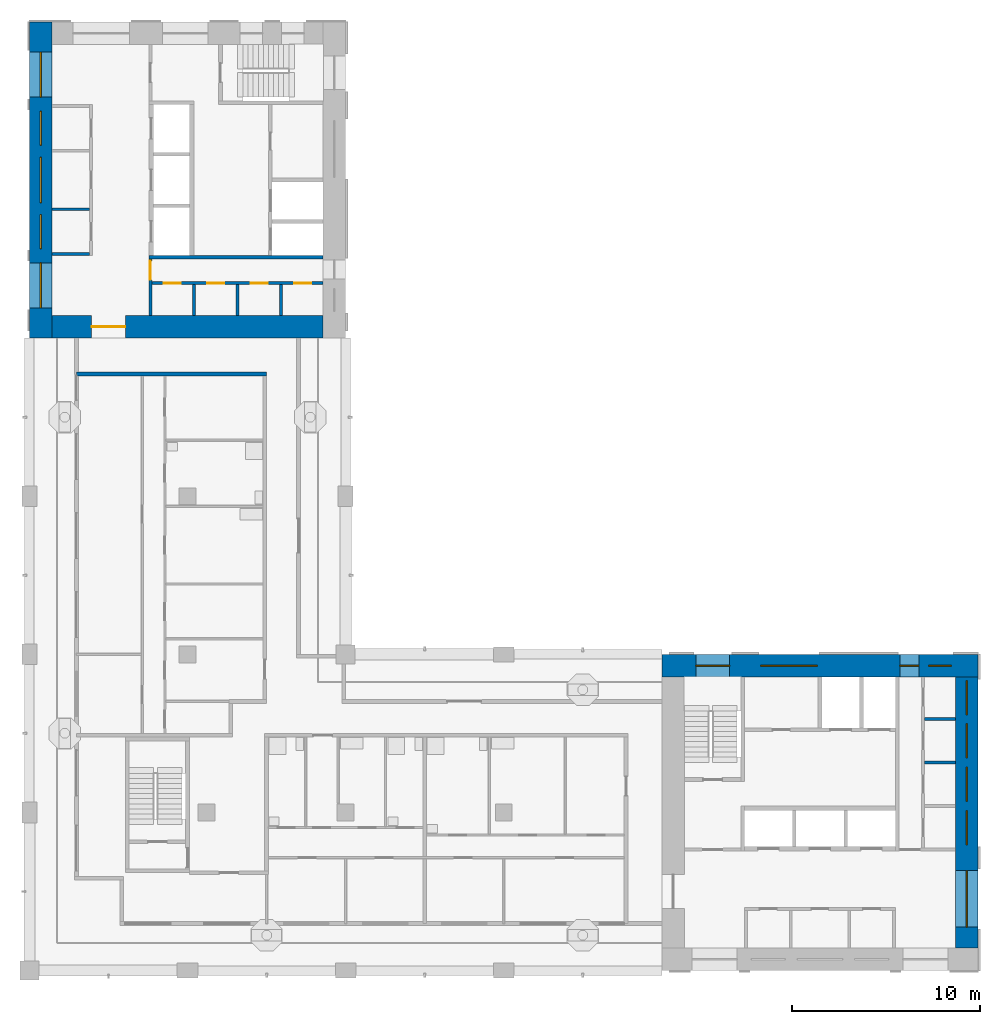
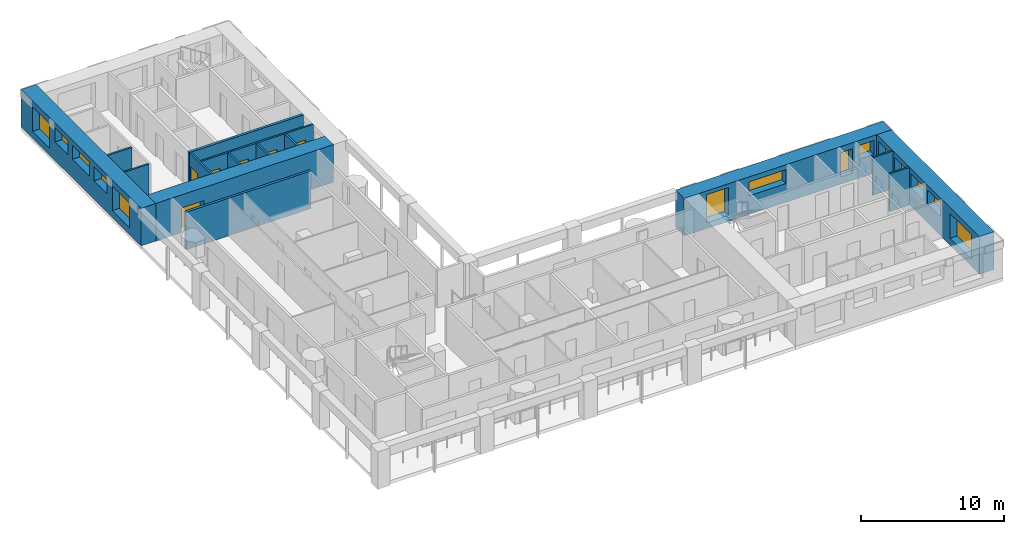
# One storey, part 5 of 12: 15 walls, 14 windows, 6 doors, 20 openings.
"""IFC4 building model written with IfcOpenShell, lengths in metres."""

from ifc_helpers import new_model, si_unit, direction, frame, frame_2d, origin, place, context, subcontext, project, spatial, rectangle, extrude, material, layer, layer_set, type_object, element, fill, save


model = new_model("IFC4")

# Units and contexts
model_context = context("Model", 3, precision=1e-05, world=origin(), true_north=direction((0.0, 1.0)))
body_context = subcontext(model_context, "Body", "Model", "MODEL_VIEW")
ifc_project = project(units=[si_unit("LENGTHUNIT", "METRE"), si_unit("AREAUNIT", "SQUARE_METRE"), si_unit("VOLUMEUNIT", "CUBIC_METRE"), si_unit("PLANEANGLEUNIT", "RADIAN"), si_unit("MASSUNIT", "GRAM", prefix="KILO")], contexts=[model_context])

# Site, building, storey
site_placement = place(None, origin())
site = spatial("IfcSite", under=ifc_project, at=site_placement, CompositionType="ELEMENT")
building_placement = place(site_placement, origin())
building = spatial("IfcBuilding", under=site, at=building_placement, Name="Vermilion Gate Residences", CompositionType="ELEMENT")
storey_placement = place(building_placement, frame((0.0, 0.0, 242.199951171875)))
storey = spatial("IfcBuildingStorey", under=building, at=storey_placement, Name="L63", CompositionType="ELEMENT", Elevation=242.199951171875)

# Walls
ifc_material_1 = material(Name="Masonry blockwork", Category="masonry")
ifc_layer_1 = layer(ifc_material_1, 0.14990234375)
ifc_layer_set_1 = layer_set([ifc_layer_1], Name="BLOCKWORK PARTITION 150 EI 120")
wall_type_1 = type_object("IfcWallType", Name="BLOCKWORK PARTITION 150 EI 120", PredefinedType="PARTITIONING", material=ifc_layer_set_1)
for number, where, z_axis, x_axis, name in (
    (1, (55.949951171875, 19.449951171875, 0.0), (0.0, 0.0, 1.0), (1.0, 0.0, 0.0), "Core room partition A63-ES-P1"),
    (2, (55.949951171875, 21.762451171875, 0.0), (0.0, 0.0, 1.0), (1.0, 0.0, 0.0), "Core room partition A63-ES-P2"),
):
    element("IfcWall", number, at=place(storey_placement, frame(where, z_axis=z_axis, x_axis=x_axis)), inside=storey, type_object=wall_type_1, Name=name, PredefinedType="PARTITIONING", context=body_context, shape_type="SweptSolid", body=[
        extrude(rectangle(XDim=1.650146484375, YDim=0.14990234375, at=frame_2d((0.8251953125, 0.0))), origin(), (0.0, 0.0, 1.0), 3.219970703125),
    ])
for number, where, z_axis, x_axis, name in (
    (3, (9.60009765625, 46.47509765625, 0.0), (0.0, 0.0, 1.0), (1.0, 0.0, 0.0), "Core room partition B63-RW-E"),
    (4, (9.60009765625, 48.844970703125, 0.0), (0.0, 0.0, 1.0), (1.0, 0.0, 0.0), "Core room partition B63-SR-P1"),
):
    element("IfcWall", number, at=place(storey_placement, frame(where, z_axis=z_axis, x_axis=x_axis)), inside=storey, type_object=wall_type_1, Name=name, PredefinedType="PARTITIONING", context=body_context, shape_type="SweptSolid", body=[
        extrude(rectangle(XDim=2.0, YDim=0.14990234375, at=frame_2d((1.0, 0.0))), origin(), (0.0, 0.0, 1.0), 3.219970703125),
    ])

# Wall, opening, door
wall_1_placement = place(storey_placement, frame((14.824951171875, 46.199951171875, 0.0), z_axis=(0.0, 0.0, 1.0), x_axis=(0.0, -1.0, 0.0)))
wall_1 = element("IfcWall", 5, at=wall_1_placement, inside=storey, type_object=wall_type_1, Name="Core room partition B63-ES-S", PredefinedType="PARTITIONING", context=body_context, shape_type="SweptSolid", body=[
    extrude(rectangle(XDim=3.0, YDim=0.14990234375, at=frame_2d((1.5, 0.0))), origin(), (0.0, 0.0, 1.0), 3.219970703125),
])
opening_1_placement = place(wall_1_placement, frame((0.10009765625, 0.0, 0.0)))
opening_1 = element("IfcOpeningElement", 6, at=opening_1_placement, cuts=wall_1, Name="Opening DK63113", PredefinedType="OPENING", context=body_context, shape_type="SweptSolid", body=[
    extrude(rectangle(XDim=1.0, YDim=2.10009765625, at=frame_2d((0.5, 1.050048828125))), frame((0.0, 0.0849609375, 0.0), z_axis=(0.0, -1.0, 0.0), x_axis=(1.0, 0.0, 0.0)), (0.0, 0.0, 1.0), 0.169921875),
])
ifc_material_2 = material(Name="Steel", Category="steel")
door_type_1 = type_object("IfcDoorType", Name="FIRE DOOR FD60 1000 X 2100", OperationType="SINGLE_SWING_LEFT", PredefinedType="DOOR", material=ifc_material_2)
door_1_placement = place(opening_1_placement, frame((1.0, 0.0, 0.0), z_axis=(0.0, 0.0, 1.0), x_axis=(-1.0, 0.0, 0.0)))
door_1 = element("IfcDoor", 7, at=door_1_placement, inside=storey, type_object=door_type_1, Name="Service corridor door B63", OperationType="SINGLE_SWING_LEFT", OverallHeight=2.10009765625, OverallWidth=1.0, PredefinedType="DOOR", context=body_context, shape_type="SweptSolid", body=[
    extrude(rectangle(XDim=1.0, YDim=2.10009765625, at=frame_2d((0.5, 1.050048828125))), frame((0.0, 0.02490234375, 0.0), z_axis=(0.0, -1.0, 0.0), x_axis=(1.0, 0.0, 0.0)), (0.0, 0.0, 1.0), 0.050048828125),
])
fill(opening_1, door_1)

# Walls
for number, where, z_axis, x_axis, name in (
    (8, (17.137451171875, 44.85009765625, 0.0), (0.0, 0.0, 1.0), (0.0, -1.0, 0.0), "Core room partition B63-ES-P0"),
    (9, (19.449951171875, 44.85009765625, 0.0), (0.0, 0.0, 1.0), (0.0, -1.0, 0.0), "Core room partition B63-ES-P1"),
    (10, (21.762451171875, 44.85009765625, 0.0), (0.0, 0.0, 1.0), (0.0, -1.0, 0.0), "Core room partition B63-ES-P2"),
):
    element("IfcWall", number, at=place(storey_placement, frame(where, z_axis=z_axis, x_axis=x_axis)), inside=storey, type_object=wall_type_1, Name=name, PredefinedType="PARTITIONING", context=body_context, shape_type="SweptSolid", body=[
        extrude(rectangle(XDim=1.650146484375, YDim=0.14990234375, at=frame_2d((0.8251953125, 0.0))), origin(), (0.0, 0.0, 1.0), 3.219970703125),
    ])

# Wall, openings, doors
wall_2_placement = place(storey_placement, frame((14.89990234375, 44.925048828125, 0.0), z_axis=(0.0, 0.0, 1.0), x_axis=(1.0, 0.0, 0.0)))
wall_2 = element("IfcWall", 11, at=wall_2_placement, inside=storey, type_object=wall_type_1, Name="Core room partition B63-ES-W", PredefinedType="PARTITIONING", context=body_context, shape_type="SweptSolid", body=[
    extrude(rectangle(XDim=9.10009765625, YDim=0.14990234375, at=frame_2d((4.550048828125, 0.0))), origin(), (0.0, 0.0, 1.0), 3.219970703125),
])
opening_2_placement = place(wall_2_placement, frame((0.63134765625, 0.0, 0.0)))
opening_2 = element("IfcOpeningElement", 12, at=opening_2_placement, cuts=wall_2, Name="Opening DK63114", PredefinedType="OPENING", context=body_context, shape_type="SweptSolid", body=[
    extrude(rectangle(XDim=0.89990234375, YDim=2.10009765625, at=frame_2d((0.449951171875, 1.050048828125))), frame((0.0, 0.0849609375, 0.0), z_axis=(0.0, -1.0, 0.0), x_axis=(1.0, 0.0, 0.0)), (0.0, 0.0, 1.0), 0.169921875),
])
opening_3_placement = place(wall_2_placement, frame((2.94384765625, 0.0, 0.0)))
opening_3 = element("IfcOpeningElement", 13, at=opening_3_placement, cuts=wall_2, Name="Opening DK63115", PredefinedType="OPENING", context=body_context, shape_type="SweptSolid", body=[
    extrude(rectangle(XDim=0.89990234375, YDim=2.10009765625, at=frame_2d((0.449951171875, 1.050048828125))), frame((0.0, 0.0849609375, 0.0), z_axis=(0.0, -1.0, 0.0), x_axis=(1.0, 0.0, 0.0)), (0.0, 0.0, 1.0), 0.169921875),
])
opening_4_placement = place(wall_2_placement, frame((5.25634765625, 0.0, 0.0)))
opening_4 = element("IfcOpeningElement", 14, at=opening_4_placement, cuts=wall_2, Name="Opening DK63116", PredefinedType="OPENING", context=body_context, shape_type="SweptSolid", body=[
    extrude(rectangle(XDim=0.89990234375, YDim=2.10009765625, at=frame_2d((0.449951171875, 1.050048828125))), frame((0.0, 0.0849609375, 0.0), z_axis=(0.0, -1.0, 0.0), x_axis=(1.0, 0.0, 0.0)), (0.0, 0.0, 1.0), 0.169921875),
])
opening_5_placement = place(wall_2_placement, frame((7.56884765625, 0.0, 0.0)))
opening_5 = element("IfcOpeningElement", 15, at=opening_5_placement, cuts=wall_2, Name="Opening DK63117", PredefinedType="OPENING", context=body_context, shape_type="SweptSolid", body=[
    extrude(rectangle(XDim=0.89990234375, YDim=2.10009765625, at=frame_2d((0.449951171875, 1.050048828125))), frame((0.0, 0.0849609375, 0.0), z_axis=(0.0, -1.0, 0.0), x_axis=(1.0, 0.0, 0.0)), (0.0, 0.0, 1.0), 0.169921875),
])
ifc_material_3 = material(Name="Steel", Category="steel")
door_type_2 = type_object("IfcDoorType", Name="SERVICE ROOM DOOR FD60 900 X 2100", OperationType="SINGLE_SWING_LEFT", PredefinedType="DOOR", material=ifc_material_3)
door_2_placement = place(opening_2_placement, frame((0.89990234375, 0.0, 0.0), z_axis=(0.0, 0.0, 1.0), x_axis=(-1.0, 0.0, 0.0)))
door_2 = element("IfcDoor", 16, at=door_2_placement, inside=storey, type_object=door_type_2, Name="Storage room B63", OperationType="SINGLE_SWING_RIGHT", OverallHeight=2.10009765625, OverallWidth=0.89990234375, PredefinedType="DOOR", context=body_context, shape_type="SweptSolid", body=[
    extrude(rectangle(XDim=0.89990234375, YDim=2.10009765625, at=frame_2d((0.449951171875, 1.050048828125))), frame((0.0, 0.02490234375, 0.0), z_axis=(0.0, -1.0, 0.0), x_axis=(1.0, 0.0, 0.0)), (0.0, 0.0, 1.0), 0.050048828125),
])
fill(opening_2, door_2)
door_3_placement = place(opening_3_placement, frame((0.89990234375, 0.0, 0.0), z_axis=(0.0, 0.0, 1.0), x_axis=(-1.0, 0.0, 0.0)))
door_3 = element("IfcDoor", 17, at=door_3_placement, inside=storey, type_object=door_type_2, Name="Refuse room B63", OperationType="SINGLE_SWING_RIGHT", OverallHeight=2.10009765625, OverallWidth=0.89990234375, PredefinedType="DOOR", context=body_context, shape_type="SweptSolid", body=[
    extrude(rectangle(XDim=0.89990234375, YDim=2.10009765625, at=frame_2d((0.449951171875, 1.050048828125))), frame((0.0, 0.02490234375, 0.0), z_axis=(0.0, -1.0, 0.0), x_axis=(1.0, 0.0, 0.0)), (0.0, 0.0, 1.0), 0.050048828125),
])
fill(opening_3, door_3)
door_4_placement = place(opening_4_placement, frame((0.89990234375, 0.0, 0.0), z_axis=(0.0, 0.0, 1.0), x_axis=(-1.0, 0.0, 0.0)))
door_4 = element("IfcDoor", 18, at=door_4_placement, inside=storey, type_object=door_type_2, Name="Parcel room B63", OperationType="SINGLE_SWING_RIGHT", OverallHeight=2.10009765625, OverallWidth=0.89990234375, PredefinedType="DOOR", context=body_context, shape_type="SweptSolid", body=[
    extrude(rectangle(XDim=0.89990234375, YDim=2.10009765625, at=frame_2d((0.449951171875, 1.050048828125))), frame((0.0, 0.02490234375, 0.0), z_axis=(0.0, -1.0, 0.0), x_axis=(1.0, 0.0, 0.0)), (0.0, 0.0, 1.0), 0.050048828125),
])
fill(opening_4, door_4)
door_5_placement = place(opening_5_placement, frame((0.89990234375, 0.0, 0.0), z_axis=(0.0, 0.0, 1.0), x_axis=(-1.0, 0.0, 0.0)))
door_5 = element("IfcDoor", 19, at=door_5_placement, inside=storey, type_object=door_type_2, Name="Cleaner's store B63", OperationType="SINGLE_SWING_RIGHT", OverallHeight=2.10009765625, OverallWidth=0.89990234375, PredefinedType="DOOR", context=body_context, shape_type="SweptSolid", body=[
    extrude(rectangle(XDim=0.89990234375, YDim=2.10009765625, at=frame_2d((0.449951171875, 1.050048828125))), frame((0.0, 0.02490234375, 0.0), z_axis=(0.0, -1.0, 0.0), x_axis=(1.0, 0.0, 0.0)), (0.0, 0.0, 1.0), 0.050048828125),
])
fill(opening_5, door_5)

# Walls
ifc_material_4 = material(Name="Fire-rated plasterboard on steel studs", Category="steel")
ifc_layer_2 = layer(ifc_material_4, 0.199951171875)
ifc_layer_set_2 = layer_set([ifc_layer_2], Name="PARTY WALL 200 EI 120")
wall_type_2 = type_object("IfcWallType", Name="PARTY WALL 200 EI 120", PredefinedType="PARTITIONING", material=ifc_layer_set_2)
wall_3_placement = place(storey_placement, frame((10.89990234375, 40.10009765625, 0.0), z_axis=(0.0, 0.0, 1.0), x_axis=(1.0, 0.0, 0.0)))
element("IfcWall", 20, at=wall_3_placement, inside=storey, type_object=wall_type_2, Name="Party and corridor wall", PredefinedType="PARTITIONING", context=body_context, shape_type="SweptSolid", body=[
    extrude(rectangle(XDim=10.10009765625, YDim=0.199951171875, at=frame_2d((5.050048828125, 0.0))), origin(), (0.0, 0.0, 1.0), 3.219970703125),
])
ifc_material_5 = material(Name="Concrete C60", Category="concrete")
ifc_layer_3 = layer(ifc_material_5, 0.199951171875)
ifc_layer_set_3 = layer_set([ifc_layer_3], Name="RC CORE INTERNAL WALL 200 C60")
wall_type_3 = type_object("IfcWallType", Name="RC CORE INTERNAL WALL 200 C60", PredefinedType="SHEAR", material=ifc_layer_set_3)
wall_4_placement = place(storey_placement, frame((14.75, 46.300048828125, 0.0), z_axis=(0.0, 0.0, 1.0), x_axis=(1.0, 0.0, 0.0)))
element("IfcWall", 21, at=wall_4_placement, inside=storey, type_object=wall_type_3, Name="Core internal wall B63-EDIV", PredefinedType="SHEAR", context=body_context, shape_type="SweptSolid", body=[
    extrude(rectangle(XDim=9.25, YDim=0.199951171875, at=frame_2d((4.625, 0.0))), origin(), (0.0, 0.0, 1.0), 3.219970703125),
])

# Wall, opening, door
ifc_material_6 = material(Name="Concrete C50", Category="concrete")
ifc_layer_4 = layer(ifc_material_6, 1.199951171875)
ifc_layer_set_4 = layer_set([ifc_layer_4], Name="RC CORE WALL 1200 C50")
wall_type_4 = type_object("IfcWallType", Name="RC CORE WALL 1200 C50", PredefinedType="SHEAR", material=ifc_layer_set_4)
wall_5_placement = place(storey_placement, frame((9.60009765625, 42.60009765625, 0.0), z_axis=(0.0, 0.0, 1.0), x_axis=(1.0, 0.0, 0.0)))
wall_5 = element("IfcWall", 22, at=wall_5_placement, inside=storey, type_object=wall_type_4, Name="Core wall B63-OUT-BK", PredefinedType="SHEAR", context=body_context, shape_type="SweptSolid", body=[
    extrude(rectangle(XDim=14.39990234375, YDim=1.199951171875, at=frame_2d((7.199951171875, 0.0))), origin(), (0.0, 0.0, 1.0), 3.219970703125),
])
opening_6_placement = place(wall_5_placement, frame((2.10009765625, 0.0, 0.0)))
opening_6 = element("IfcOpeningElement", 23, at=opening_6_placement, cuts=wall_5, Name="Opening DK63101", PredefinedType="OPENING", context=body_context, shape_type="SweptSolid", body=[
    extrude(rectangle(XDim=1.800048828125, YDim=2.10009765625, at=frame_2d((0.89990234375, 1.050048828125))), frame((0.0, 0.60986328125, 0.0), z_axis=(0.0, -1.0, 0.0), x_axis=(1.0, 0.0, 0.0)), (0.0, 0.0, 1.0), 1.219970703125),
])
ifc_material_7 = material(Name="Steel", Category="steel")
door_type_3 = type_object("IfcDoorType", Name="CORE LOBBY DOOR FD60 1800 X 2100", OperationType="DOUBLE_DOOR_SINGLE_SWING", PredefinedType="DOOR", material=ifc_material_7)
door_6_placement = place(opening_6_placement, frame((1.800048828125, 0.0, 0.0), z_axis=(0.0, 0.0, 1.0), x_axis=(-1.0, 0.0, 0.0)))
door_6 = element("IfcDoor", 24, at=door_6_placement, inside=storey, type_object=door_type_3, Name="Core lobby door B63", OperationType="DOUBLE_DOOR_SINGLE_SWING", OverallHeight=2.10009765625, OverallWidth=1.800048828125, PredefinedType="DOOR", context=body_context, shape_type="SweptSolid", body=[
    extrude(rectangle(XDim=1.800048828125, YDim=2.10009765625, at=frame_2d((0.89990234375, 1.050048828125))), frame((0.0, 0.02490234375, 0.0), z_axis=(0.0, -1.0, 0.0), x_axis=(1.0, 0.0, 0.0)), (0.0, 0.0, 1.0), 0.050048828125),
])
fill(opening_6, door_6)

# Wall, openings, windows
ifc_material_8 = material(Name="Concrete C50 red-oxide pigmented", Category="concrete")
ifc_layer_5 = layer(ifc_material_8, 1.199951171875)
ifc_layer_set_5 = layer_set([ifc_layer_5], Name="RC CORE WALL 1200 C50 RED OXIDE")
wall_type_5 = type_object("IfcWallType", Name="RC CORE WALL 1200 C50 RED OXIDE", PredefinedType="SHEAR", material=ifc_layer_set_5)
wall_6_placement = place(storey_placement, frame((42.0, 24.60009765625, 0.0), z_axis=(0.0, 0.0, 1.0), x_axis=(1.0, 0.0, 0.0)))
wall_6 = element("IfcWall", 25, at=wall_6_placement, inside=storey, type_object=wall_type_5, Name="Core wall A63-OUT-B1", PredefinedType="SHEAR", context=body_context, shape_type="SweptSolid", body=[
    extrude(rectangle(XDim=16.800048828125, YDim=1.199951171875, at=frame_2d((8.39990234375, 0.0))), origin(), (0.0, 0.0, 1.0), 3.219970703125),
])
opening_7_placement = place(wall_6_placement, frame((1.800048828125, 0.0, 0.5)))
opening_7 = element("IfcOpeningElement", 26, at=opening_7_placement, cuts=wall_6, Name="Opening WKA6306", PredefinedType="OPENING", context=body_context, shape_type="SweptSolid", body=[
    extrude(rectangle(XDim=1.800048828125, YDim=2.39990234375, at=frame_2d((0.89990234375, 1.199951171875))), frame((0.0, 0.60986328125, 0.0), z_axis=(0.0, -1.0, 0.0), x_axis=(1.0, 0.0, 0.0)), (0.0, 0.0, 1.0), 1.219970703125),
])
opening_8_placement = place(wall_6_placement, frame((5.25, 0.0, 1.60009765625)))
opening_8 = element("IfcOpeningElement", 27, at=opening_8_placement, cuts=wall_6, Name="Opening WKA6307", PredefinedType="OPENING", context=body_context, shape_type="SweptSolid", body=[
    extrude(rectangle(XDim=3.0, YDim=1.199951171875, at=frame_2d((1.5, 0.60009765625))), frame((0.0, 0.60986328125, 0.0), z_axis=(0.0, -1.0, 0.0), x_axis=(1.0, 0.0, 0.0)), (0.0, 0.0, 1.0), 1.219970703125),
])
opening_9_placement = place(wall_6_placement, frame((12.64990234375, 0.0, 0.60009765625)))
opening_9 = element("IfcOpeningElement", 28, at=opening_9_placement, cuts=wall_6, Name="Opening WKA6308", PredefinedType="OPENING", context=body_context, shape_type="SweptSolid", body=[
    extrude(rectangle(XDim=1.0, YDim=2.10009765625, at=frame_2d((0.5, 1.050048828125))), frame((0.0, 0.60986328125, 0.0), z_axis=(0.0, -1.0, 0.0), x_axis=(1.0, 0.0, 0.0)), (0.0, 0.0, 1.0), 1.219970703125),
])
opening_10_placement = place(wall_6_placement, frame((14.175048828125, 0.0, 1.60009765625)))
opening_10 = element("IfcOpeningElement", 29, at=opening_10_placement, cuts=wall_6, Name="Opening WKA6309", PredefinedType="OPENING", context=body_context, shape_type="SweptSolid", body=[
    extrude(rectangle(XDim=1.199951171875, YDim=1.199951171875, at=frame_2d((0.60009765625, 0.60009765625))), frame((0.0, 0.60986328125, 0.0), z_axis=(0.0, -1.0, 0.0), x_axis=(1.0, 0.0, 0.0)), (0.0, 0.0, 1.0), 1.219970703125),
])
ifc_material_9 = material(Name="Aluminium and clear glass", Category="aluminium")
window_type_1 = type_object("IfcWindowType", Name="CORE CORRIDOR WINDOW 1000 X 2100", PartitioningType="SINGLE_PANEL", PredefinedType="WINDOW", material=ifc_material_9)
window_1_placement = place(opening_9_placement, origin())
window_1 = element("IfcWindow", 30, at=window_1_placement, inside=storey, type_object=window_type_1, Name="Core corridor window", OverallHeight=2.10009765625, OverallWidth=1.0, PartitioningType="SINGLE_PANEL", PredefinedType="WINDOW", context=body_context, shape_type="SweptSolid", body=[
    extrude(rectangle(XDim=1.0, YDim=2.10009765625, at=frame_2d((0.5, 1.050048828125))), frame((0.0, 0.030029296875, 0.0), z_axis=(0.0, -1.0, 0.0), x_axis=(1.0, 0.0, 0.0)), (0.0, 0.0, 1.0), 0.06005859375),
])
fill(opening_9, window_1)
ifc_material_10 = material(Name="Aluminium frame with louvre blades", Category="aluminium")
window_type_2 = type_object("IfcWindowType", Name="CORE LOUVRE 1200 X 1200", PartitioningType="SINGLE_PANEL", PredefinedType="WINDOW", material=ifc_material_10)
window_2_placement = place(opening_10_placement, origin())
window_2 = element("IfcWindow", 31, at=window_2_placement, inside=storey, type_object=window_type_2, Name="Core louvre", OverallHeight=1.199951171875, OverallWidth=1.199951171875, PartitioningType="SINGLE_PANEL", PredefinedType="WINDOW", context=body_context, shape_type="SweptSolid", body=[
    extrude(rectangle(XDim=1.199951171875, YDim=1.199951171875, at=frame_2d((0.60009765625, 0.60009765625))), frame((0.0, 0.030029296875, 0.0), z_axis=(0.0, -1.0, 0.0), x_axis=(1.0, 0.0, 0.0)), (0.0, 0.0, 1.0), 0.06005859375),
])
fill(opening_10, window_2)
ifc_material_11 = material(Name="Aluminium frame with louvre blades", Category="aluminium")
window_type_3 = type_object("IfcWindowType", Name="CORE LOUVRE 3000 X 1200", PartitioningType="SINGLE_PANEL", PredefinedType="WINDOW", material=ifc_material_11)
window_3_placement = place(opening_8_placement, origin())
window_3 = element("IfcWindow", 32, at=window_3_placement, inside=storey, type_object=window_type_3, Name="Core louvre", OverallHeight=1.199951171875, OverallWidth=3.0, PartitioningType="SINGLE_PANEL", PredefinedType="WINDOW", context=body_context, shape_type="SweptSolid", body=[
    extrude(rectangle(XDim=3.0, YDim=1.199951171875, at=frame_2d((1.5, 0.60009765625))), frame((0.0, 0.030029296875, 0.0), z_axis=(0.0, -1.0, 0.0), x_axis=(1.0, 0.0, 0.0)), (0.0, 0.0, 1.0), 0.06005859375),
])
fill(opening_8, window_3)
ifc_material_12 = material(Name="Aluminium and clear glass", Category="aluminium")
window_type_4 = type_object("IfcWindowType", Name="CORE STAIR WINDOW 1800 X 2400", PartitioningType="SINGLE_PANEL", PredefinedType="WINDOW", material=ifc_material_12)
window_4_placement = place(opening_7_placement, origin())
window_4 = element("IfcWindow", 33, at=window_4_placement, inside=storey, type_object=window_type_4, Name="Core stair window", OverallHeight=2.39990234375, OverallWidth=1.800048828125, PartitioningType="SINGLE_PANEL", PredefinedType="WINDOW", context=body_context, shape_type="SweptSolid", body=[
    extrude(rectangle(XDim=1.800048828125, YDim=2.39990234375, at=frame_2d((0.89990234375, 1.199951171875))), frame((0.0, 0.030029296875, 0.0), z_axis=(0.0, -1.0, 0.0), x_axis=(1.0, 0.0, 0.0)), (0.0, 0.0, 1.0), 0.06005859375),
])
fill(opening_7, window_4)

wall_7_placement = place(storey_placement, frame((58.199951171875, 9.60009765625, 0.0), z_axis=(0.0, 0.0, 1.0), x_axis=(0.0, 1.0, 0.0)))
wall_7 = element("IfcWall", 34, at=wall_7_placement, inside=storey, type_object=wall_type_5, Name="Core wall A63-OUT-BK", PredefinedType="SHEAR", context=body_context, shape_type="SweptSolid", body=[
    extrude(rectangle(XDim=14.39990234375, YDim=1.199951171875, at=frame_2d((7.199951171875, 0.0))), origin(), (0.0, 0.0, 1.0), 3.219970703125),
])
opening_11_placement = place(wall_7_placement, frame((1.10498046875, 0.0, 0.60009765625)))
opening_11 = element("IfcOpeningElement", 35, at=opening_11_placement, cuts=wall_7, Name="Opening WKA6310", PredefinedType="OPENING", context=body_context, shape_type="SweptSolid", body=[
    extrude(rectangle(XDim=3.0, YDim=2.10009765625, at=frame_2d((1.5, 1.050048828125))), frame((0.0, 0.60986328125, 0.0), z_axis=(0.0, -1.0, 0.0), x_axis=(1.0, 0.0, 0.0)), (0.0, 0.0, 1.0), 1.219970703125),
])
opening_12_placement = place(wall_7_placement, frame((5.481201171875, 0.0, 1.60009765625)))
opening_12 = element("IfcOpeningElement", 36, at=opening_12_placement, cuts=wall_7, Name="Opening WKA6311", PredefinedType="OPENING", context=body_context, shape_type="SweptSolid", body=[
    extrude(rectangle(XDim=1.800048828125, YDim=1.199951171875, at=frame_2d((0.89990234375, 0.60009765625))), frame((0.0, 0.60986328125, 0.0), z_axis=(0.0, -1.0, 0.0), x_axis=(1.0, 0.0, 0.0)), (0.0, 0.0, 1.0), 1.219970703125),
])
opening_13_placement = place(wall_7_placement, frame((7.793701171875, 0.0, 1.60009765625)))
opening_13 = element("IfcOpeningElement", 37, at=opening_13_placement, cuts=wall_7, Name="Opening WKA6312", PredefinedType="OPENING", context=body_context, shape_type="SweptSolid", body=[
    extrude(rectangle(XDim=1.800048828125, YDim=1.199951171875, at=frame_2d((0.89990234375, 0.60009765625))), frame((0.0, 0.60986328125, 0.0), z_axis=(0.0, -1.0, 0.0), x_axis=(1.0, 0.0, 0.0)), (0.0, 0.0, 1.0), 1.219970703125),
])
opening_14_placement = place(wall_7_placement, frame((10.106201171875, 0.0, 1.60009765625)))
opening_14 = element("IfcOpeningElement", 38, at=opening_14_placement, cuts=wall_7, Name="Opening WKA6313", PredefinedType="OPENING", context=body_context, shape_type="SweptSolid", body=[
    extrude(rectangle(XDim=1.800048828125, YDim=1.199951171875, at=frame_2d((0.89990234375, 0.60009765625))), frame((0.0, 0.60986328125, 0.0), z_axis=(0.0, -1.0, 0.0), x_axis=(1.0, 0.0, 0.0)), (0.0, 0.0, 1.0), 1.219970703125),
])
opening_15_placement = place(wall_7_placement, frame((12.388916015625, 0.0, 1.60009765625)))
opening_15 = element("IfcOpeningElement", 39, at=opening_15_placement, cuts=wall_7, Name="Opening WKA6314", PredefinedType="OPENING", context=body_context, shape_type="SweptSolid", body=[
    extrude(rectangle(XDim=1.800048828125, YDim=1.199951171875, at=frame_2d((0.89990234375, 0.60009765625))), frame((0.0, 0.60986328125, 0.0), z_axis=(0.0, -1.0, 0.0), x_axis=(1.0, 0.0, 0.0)), (0.0, 0.0, 1.0), 1.219970703125),
])
ifc_material_13 = material(Name="Aluminium and clear glass", Category="aluminium")
window_type_5 = type_object("IfcWindowType", Name="CORE LOBBY WINDOW 3000 X 2100", PartitioningType="SINGLE_PANEL", PredefinedType="WINDOW", material=ifc_material_13)
window_5_placement = place(opening_11_placement, origin())
window_5 = element("IfcWindow", 40, at=window_5_placement, inside=storey, type_object=window_type_5, Name="Core lobby window", OverallHeight=2.10009765625, OverallWidth=3.0, PartitioningType="SINGLE_PANEL", PredefinedType="WINDOW", context=body_context, shape_type="SweptSolid", body=[
    extrude(rectangle(XDim=3.0, YDim=2.10009765625, at=frame_2d((1.5, 1.050048828125))), frame((0.0, 0.030029296875, 0.0), z_axis=(0.0, -1.0, 0.0), x_axis=(1.0, 0.0, 0.0)), (0.0, 0.0, 1.0), 0.06005859375),
])
fill(opening_11, window_5)
ifc_material_14 = material(Name="Aluminium frame with louvre blades", Category="aluminium")
window_type_6 = type_object("IfcWindowType", Name="CORE LOUVRE 1800 X 1200", PartitioningType="SINGLE_PANEL", PredefinedType="WINDOW", material=ifc_material_14)
window_6_placement = place(opening_12_placement, origin())
window_6 = element("IfcWindow", 41, at=window_6_placement, inside=storey, type_object=window_type_6, Name="Core louvre", OverallHeight=1.199951171875, OverallWidth=1.800048828125, PartitioningType="SINGLE_PANEL", PredefinedType="WINDOW", context=body_context, shape_type="SweptSolid", body=[
    extrude(rectangle(XDim=1.800048828125, YDim=1.199951171875, at=frame_2d((0.89990234375, 0.60009765625))), frame((0.0, 0.030029296875, 0.0), z_axis=(0.0, -1.0, 0.0), x_axis=(1.0, 0.0, 0.0)), (0.0, 0.0, 1.0), 0.06005859375),
])
fill(opening_12, window_6)
window_7_placement = place(opening_13_placement, origin())
window_7 = element("IfcWindow", 42, at=window_7_placement, inside=storey, type_object=window_type_6, Name="Core louvre", OverallHeight=1.199951171875, OverallWidth=1.800048828125, PartitioningType="SINGLE_PANEL", PredefinedType="WINDOW", context=body_context, shape_type="SweptSolid", body=[
    extrude(rectangle(XDim=1.800048828125, YDim=1.199951171875, at=frame_2d((0.89990234375, 0.60009765625))), frame((0.0, 0.030029296875, 0.0), z_axis=(0.0, -1.0, 0.0), x_axis=(1.0, 0.0, 0.0)), (0.0, 0.0, 1.0), 0.06005859375),
])
fill(opening_13, window_7)
window_8_placement = place(opening_14_placement, origin())
window_8 = element("IfcWindow", 43, at=window_8_placement, inside=storey, type_object=window_type_6, Name="Core louvre", OverallHeight=1.199951171875, OverallWidth=1.800048828125, PartitioningType="SINGLE_PANEL", PredefinedType="WINDOW", context=body_context, shape_type="SweptSolid", body=[
    extrude(rectangle(XDim=1.800048828125, YDim=1.199951171875, at=frame_2d((0.89990234375, 0.60009765625))), frame((0.0, 0.030029296875, 0.0), z_axis=(0.0, -1.0, 0.0), x_axis=(1.0, 0.0, 0.0)), (0.0, 0.0, 1.0), 0.06005859375),
])
fill(opening_14, window_8)
window_9_placement = place(opening_15_placement, origin())
window_9 = element("IfcWindow", 44, at=window_9_placement, inside=storey, type_object=window_type_6, Name="Core louvre", OverallHeight=1.199951171875, OverallWidth=1.800048828125, PartitioningType="SINGLE_PANEL", PredefinedType="WINDOW", context=body_context, shape_type="SweptSolid", body=[
    extrude(rectangle(XDim=1.800048828125, YDim=1.199951171875, at=frame_2d((0.89990234375, 0.60009765625))), frame((0.0, 0.030029296875, 0.0), z_axis=(0.0, -1.0, 0.0), x_axis=(1.0, 0.0, 0.0)), (0.0, 0.0, 1.0), 0.06005859375),
])
fill(opening_15, window_9)

wall_8_placement = place(storey_placement, frame((9.0, 58.800048828125, 0.0), z_axis=(0.0, 0.0, 1.0), x_axis=(0.0, -1.0, 0.0)))
wall_8 = element("IfcWall", 45, at=wall_8_placement, inside=storey, type_object=wall_type_5, Name="Core wall B63-OUT-B0", PredefinedType="SHEAR", context=body_context, shape_type="SweptSolid", body=[
    extrude(rectangle(XDim=16.800048828125, YDim=1.199951171875, at=frame_2d((8.39990234375, 0.0))), origin(), (0.0, 0.0, 1.0), 3.219970703125),
])
opening_16_placement = place(wall_8_placement, frame((1.60009765625, 0.0, 0.60009765625)))
opening_16 = element("IfcOpeningElement", 46, at=opening_16_placement, cuts=wall_8, Name="Opening WKB6301", PredefinedType="OPENING", context=body_context, shape_type="SweptSolid", body=[
    extrude(rectangle(XDim=2.39990234375, YDim=2.10009765625, at=frame_2d((1.199951171875, 1.050048828125))), frame((0.0, 0.60986328125, 0.0), z_axis=(0.0, -1.0, 0.0), x_axis=(1.0, 0.0, 0.0)), (0.0, 0.0, 1.0), 1.219970703125),
])
opening_17_placement = place(wall_8_placement, frame((4.760009765625, 0.0, 1.60009765625)))
opening_17 = element("IfcOpeningElement", 47, at=opening_17_placement, cuts=wall_8, Name="Opening WKB6302", PredefinedType="OPENING", context=body_context, shape_type="SweptSolid", body=[
    extrude(rectangle(XDim=1.800048828125, YDim=1.199951171875, at=frame_2d((0.89990234375, 0.60009765625))), frame((0.0, 0.60986328125, 0.0), z_axis=(0.0, -1.0, 0.0), x_axis=(1.0, 0.0, 0.0)), (0.0, 0.0, 1.0), 1.219970703125),
])
opening_18_placement = place(wall_8_placement, frame((7.199951171875, 0.0, 1.60009765625)))
opening_18 = element("IfcOpeningElement", 48, at=opening_18_placement, cuts=wall_8, Name="Opening WKB6303", PredefinedType="OPENING", context=body_context, shape_type="SweptSolid", body=[
    extrude(rectangle(XDim=2.39990234375, YDim=1.199951171875, at=frame_2d((1.199951171875, 0.60009765625))), frame((0.0, 0.60986328125, 0.0), z_axis=(0.0, -1.0, 0.0), x_axis=(1.0, 0.0, 0.0)), (0.0, 0.0, 1.0), 1.219970703125),
])
opening_19_placement = place(wall_8_placement, frame((10.239990234375, 0.0, 1.60009765625)))
opening_19 = element("IfcOpeningElement", 49, at=opening_19_placement, cuts=wall_8, Name="Opening WKB6304", PredefinedType="OPENING", context=body_context, shape_type="SweptSolid", body=[
    extrude(rectangle(XDim=1.800048828125, YDim=1.199951171875, at=frame_2d((0.89990234375, 0.60009765625))), frame((0.0, 0.60986328125, 0.0), z_axis=(0.0, -1.0, 0.0), x_axis=(1.0, 0.0, 0.0)), (0.0, 0.0, 1.0), 1.219970703125),
])
opening_20_placement = place(wall_8_placement, frame((12.800048828125, 0.0, 0.60009765625)))
opening_20 = element("IfcOpeningElement", 50, at=opening_20_placement, cuts=wall_8, Name="Opening WKB6305", PredefinedType="OPENING", context=body_context, shape_type="SweptSolid", body=[
    extrude(rectangle(XDim=2.39990234375, YDim=2.10009765625, at=frame_2d((1.199951171875, 1.050048828125))), frame((0.0, 0.60986328125, 0.0), z_axis=(0.0, -1.0, 0.0), x_axis=(1.0, 0.0, 0.0)), (0.0, 0.0, 1.0), 1.219970703125),
])
ifc_material_15 = material(Name="Aluminium and clear glass", Category="aluminium")
window_type_7 = type_object("IfcWindowType", Name="CORE LOBBY WINDOW 2400 X 2100", PartitioningType="SINGLE_PANEL", PredefinedType="WINDOW", material=ifc_material_15)
window_10_placement = place(opening_16_placement, origin())
window_10 = element("IfcWindow", 51, at=window_10_placement, inside=storey, type_object=window_type_7, Name="Core lobby window", OverallHeight=2.10009765625, OverallWidth=2.39990234375, PartitioningType="SINGLE_PANEL", PredefinedType="WINDOW", context=body_context, shape_type="SweptSolid", body=[
    extrude(rectangle(XDim=2.39990234375, YDim=2.10009765625, at=frame_2d((1.199951171875, 1.050048828125))), frame((0.0, 0.030029296875, 0.0), z_axis=(0.0, -1.0, 0.0), x_axis=(1.0, 0.0, 0.0)), (0.0, 0.0, 1.0), 0.06005859375),
])
fill(opening_16, window_10)
window_11_placement = place(opening_20_placement, origin())
window_11 = element("IfcWindow", 52, at=window_11_placement, inside=storey, type_object=window_type_7, Name="Core lobby window", OverallHeight=2.10009765625, OverallWidth=2.39990234375, PartitioningType="SINGLE_PANEL", PredefinedType="WINDOW", context=body_context, shape_type="SweptSolid", body=[
    extrude(rectangle(XDim=2.39990234375, YDim=2.10009765625, at=frame_2d((1.199951171875, 1.050048828125))), frame((0.0, 0.030029296875, 0.0), z_axis=(0.0, -1.0, 0.0), x_axis=(1.0, 0.0, 0.0)), (0.0, 0.0, 1.0), 0.06005859375),
])
fill(opening_20, window_11)
window_12_placement = place(opening_17_placement, origin())
window_12 = element("IfcWindow", 53, at=window_12_placement, inside=storey, type_object=window_type_6, Name="Core louvre", OverallHeight=1.199951171875, OverallWidth=1.800048828125, PartitioningType="SINGLE_PANEL", PredefinedType="WINDOW", context=body_context, shape_type="SweptSolid", body=[
    extrude(rectangle(XDim=1.800048828125, YDim=1.199951171875, at=frame_2d((0.89990234375, 0.60009765625))), frame((0.0, 0.030029296875, 0.0), z_axis=(0.0, -1.0, 0.0), x_axis=(1.0, 0.0, 0.0)), (0.0, 0.0, 1.0), 0.06005859375),
])
fill(opening_17, window_12)
window_13_placement = place(opening_19_placement, origin())
window_13 = element("IfcWindow", 54, at=window_13_placement, inside=storey, type_object=window_type_6, Name="Core louvre", OverallHeight=1.199951171875, OverallWidth=1.800048828125, PartitioningType="SINGLE_PANEL", PredefinedType="WINDOW", context=body_context, shape_type="SweptSolid", body=[
    extrude(rectangle(XDim=1.800048828125, YDim=1.199951171875, at=frame_2d((0.89990234375, 0.60009765625))), frame((0.0, 0.030029296875, 0.0), z_axis=(0.0, -1.0, 0.0), x_axis=(1.0, 0.0, 0.0)), (0.0, 0.0, 1.0), 0.06005859375),
])
fill(opening_19, window_13)
ifc_material_16 = material(Name="Aluminium frame with louvre blades", Category="aluminium")
window_type_8 = type_object("IfcWindowType", Name="CORE LOUVRE 2400 X 1200", PartitioningType="SINGLE_PANEL", PredefinedType="WINDOW", material=ifc_material_16)
window_14_placement = place(opening_18_placement, origin())
window_14 = element("IfcWindow", 55, at=window_14_placement, inside=storey, type_object=window_type_8, Name="Core louvre", OverallHeight=1.199951171875, OverallWidth=2.39990234375, PartitioningType="SINGLE_PANEL", PredefinedType="WINDOW", context=body_context, shape_type="SweptSolid", body=[
    extrude(rectangle(XDim=2.39990234375, YDim=1.199951171875, at=frame_2d((1.199951171875, 0.60009765625))), frame((0.0, 0.030029296875, 0.0), z_axis=(0.0, -1.0, 0.0), x_axis=(1.0, 0.0, 0.0)), (0.0, 0.0, 1.0), 0.06005859375),
])
fill(opening_18, window_14)

save(model, "model.ifc")
